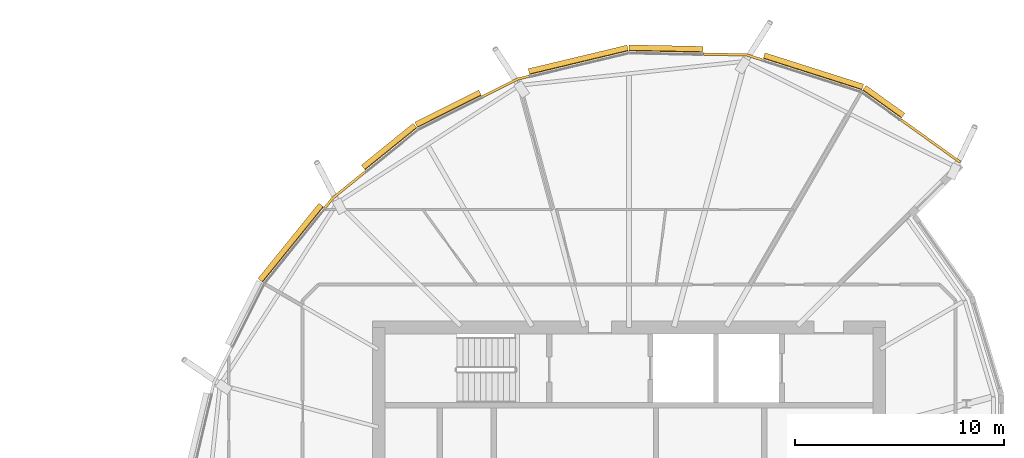
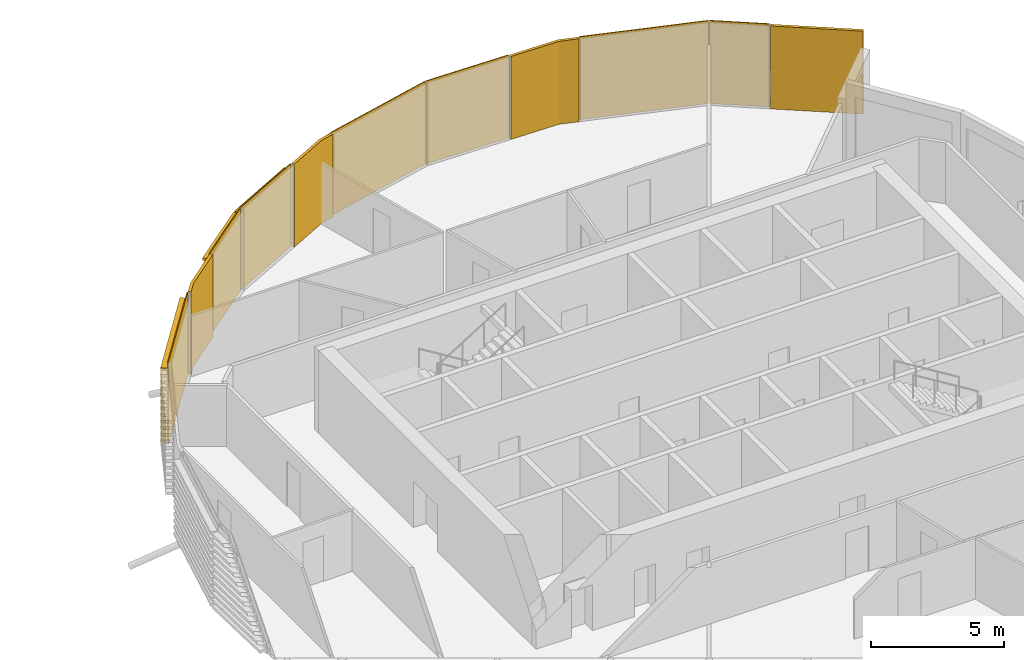
# One storey, part 37 of 37: 11 coverings.
"""IFC4 building model written with IfcOpenShell, lengths in metres."""

from ifc_helpers import new_model, si_unit, direction, frame, origin, place, context, subcontext, project, spatial, polyline, outline, extrude, material, layer, layer_set, material_profile, profile_set, type_object, element, save


model = new_model("IFC4")

# Units and contexts
model_context = context("Model", 3, precision=1e-05, world=origin(), true_north=direction((0.0, 1.0)))
body_context = subcontext(model_context, "Body", "Model", "MODEL_VIEW")
ifc_project = project(units=[si_unit("LENGTHUNIT", "METRE"), si_unit("AREAUNIT", "SQUARE_METRE"), si_unit("VOLUMEUNIT", "CUBIC_METRE"), si_unit("PLANEANGLEUNIT", "RADIAN"), si_unit("MASSUNIT", "GRAM", prefix="KILO")], contexts=[model_context])

# Site, building, storey
site_placement = place(None, origin())
site = spatial("IfcSite", under=ifc_project, at=site_placement, CompositionType="ELEMENT")
building_placement = place(site_placement, origin())
building = spatial("IfcBuilding", under=site, at=building_placement, Name="Rimbun Link Towers", CompositionType="ELEMENT")
storey_placement = place(building_placement, frame((0.0, 0.0, 162.699951171875)))
storey = spatial("IfcBuildingStorey", under=building, at=storey_placement, Name="L39", CompositionType="ELEMENT", Elevation=162.699951171875)

# Coverings
ifc_material_1 = material(Name="Terracotta", Category="masonry")
ifc_layer = layer(ifc_material_1, 0.1201171875)
ifc_layer_set = layer_set([ifc_layer], Name="LINK PIER terracotta cladding 120")
covering_type_1 = type_object("IfcCoveringType", Name="LINK PIER terracotta cladding 120", PredefinedType="CLADDING", material=ifc_layer_set)
covering_1_placement = place(storey_placement, origin())
element("IfcCovering", 1, at=covering_1_placement, inside=storey, type_object=covering_type_1, Name="LINK PIER cladding", PredefinedType="CLADDING", context=body_context, shape_type="SweptSolid", body=[
    extrude(outline(polyline([(44.754638671875, 17.916748046875), (47.59033203125, 15.882080078125), (47.66015625, 15.9794921875), (44.82470703125, 18.01416015625), (44.754638671875, 17.916748046875)])), origin(), (0.0, 0.0, 1.0), 3.800048828125),
])
covering_2_placement = place(storey_placement, origin())
element("IfcCovering", 2, at=covering_2_placement, inside=storey, type_object=covering_type_1, Name="LINK PIER cladding", PredefinedType="CLADDING", context=body_context, shape_type="SweptSolid", body=[
    extrude(outline(polyline([(35.31103515625, 21.05712890625), (37.380615234375, 21.013671875), (38.114501953125, 20.7802734375), (38.150634765625, 20.89453125), (37.400390625, 21.13330078125), (35.3134765625, 21.17724609375), (35.31103515625, 21.05712890625)])), origin(), (0.0, 0.0, 1.0), 3.800048828125),
])
covering_3_placement = place(storey_placement, origin())
element("IfcCovering", 3, at=covering_3_placement, inside=storey, type_object=covering_type_1, Name="LINK PIER cladding", PredefinedType="CLADDING", context=body_context, shape_type="SweptSolid", body=[
    extrude(outline(polyline([(24.757568359375, 19.020263671875), (26.4287109375, 19.859619140625), (26.983154296875, 19.9921875), (26.955078125, 20.10888671875), (26.38720703125, 19.972900390625), (24.70361328125, 19.12744140625), (24.757568359375, 19.020263671875)])), origin(), (0.0, 0.0, 1.0), 3.800048828125),
])
covering_4_placement = place(storey_placement, origin())
element("IfcCovering", 4, at=covering_4_placement, inside=storey, type_object=covering_type_1, Name="LINK PIER cladding", PredefinedType="CLADDING", context=body_context, shape_type="SweptSolid", body=[
    extrude(outline(polyline([(17.2265625, 13.7216796875), (17.585205078125, 14.164794921875), (19.1552734375, 15.435791015625), (19.079833984375, 15.529052734375), (17.5, 14.25), (17.13330078125, 13.79736328125), (17.2265625, 13.7216796875)])), origin(), (0.0, 0.0, 1.0), 3.800048828125),
])
ifc_material_2 = material(Name="Terracotta", Category="masonry")
ifc_material_profile = material_profile(ifc_material_2, outline(polyline([(0.123046875, 0.0), (0.1630859375, 0.0), (0.1630859375, 0.10009765625), (0.423095703125, 0.10009765625), (0.423095703125, 0.219970703125), (0.1630859375, 0.219970703125), (0.1630859375, 0.39990234375), (0.423095703125, 0.39990234375), (0.423095703125, 0.52001953125), (0.1630859375, 0.52001953125), (0.1630859375, 0.699951171875), (0.423095703125, 0.699951171875), (0.423095703125, 0.820068359375), (0.1630859375, 0.820068359375), (0.1630859375, 1.0), (0.423095703125, 1.0), (0.423095703125, 1.1201171875), (0.1630859375, 1.1201171875), (0.1630859375, 1.300048828125), (0.423095703125, 1.300048828125), (0.423095703125, 1.419921875), (0.1630859375, 1.419921875), (0.1630859375, 1.60009765625), (0.423095703125, 1.60009765625), (0.423095703125, 1.719970703125), (0.1630859375, 1.719970703125), (0.1630859375, 1.89990234375), (0.423095703125, 1.89990234375), (0.423095703125, 2.02001953125), (0.1630859375, 2.02001953125), (0.1630859375, 2.199951171875), (0.423095703125, 2.199951171875), (0.423095703125, 2.320068359375), (0.1630859375, 2.320068359375), (0.1630859375, 2.5), (0.423095703125, 2.5), (0.423095703125, 2.6201171875), (0.1630859375, 2.6201171875), (0.1630859375, 2.800048828125), (0.423095703125, 2.800048828125), (0.423095703125, 2.919921875), (0.1630859375, 2.919921875), (0.1630859375, 3.10009765625), (0.423095703125, 3.10009765625), (0.423095703125, 3.219970703125), (0.1630859375, 3.219970703125), (0.1630859375, 3.39990234375), (0.423095703125, 3.39990234375), (0.423095703125, 3.52001953125), (0.1630859375, 3.52001953125), (0.1630859375, 3.800048828125), (0.123046875, 3.800048828125), (0.123046875, 0.0)])), Name="BAGUETTE 120X300")
ifc_profile_set = profile_set([ifc_material_profile], Name="Terracotta")
covering_type_2 = type_object("IfcCoveringType", Name="TERRACOTTA BAGUETTE 120X300 H3800", PredefinedType="CLADDING", material=ifc_profile_set)
covering_5_placement = place(storey_placement, frame((42.87353515625, 19.2666015625, 0.0), z_axis=(0.812475545308, -0.582995272945, 0.0), x_axis=(0.582995272945, 0.812475545308, 0.0)))
element("IfcCovering", 5, at=covering_5_placement, inside=storey, type_object=covering_type_2, Name="TERRACOTTA BAGUETTE", PredefinedType="CLADDING", context=body_context, shape_type="SweptSolid", body=[
    extrude(outline(polyline([(0.123046875, 0.0), (0.1630859375, 0.0), (0.1630859375, 0.10009765625), (0.423095703125, 0.10009765625), (0.423095703125, 0.219970703125), (0.1630859375, 0.219970703125), (0.1630859375, 0.39990234375), (0.423095703125, 0.39990234375), (0.423095703125, 0.52001953125), (0.1630859375, 0.52001953125), (0.1630859375, 0.699951171875), (0.423095703125, 0.699951171875), (0.423095703125, 0.820068359375), (0.1630859375, 0.820068359375), (0.1630859375, 1.0), (0.423095703125, 1.0), (0.423095703125, 1.1201171875), (0.1630859375, 1.1201171875), (0.1630859375, 1.300048828125), (0.423095703125, 1.300048828125), (0.423095703125, 1.419921875), (0.1630859375, 1.419921875), (0.1630859375, 1.60009765625), (0.423095703125, 1.60009765625), (0.423095703125, 1.719970703125), (0.1630859375, 1.719970703125), (0.1630859375, 1.89990234375), (0.423095703125, 1.89990234375), (0.423095703125, 2.02001953125), (0.1630859375, 2.02001953125), (0.1630859375, 2.199951171875), (0.423095703125, 2.199951171875), (0.423095703125, 2.320068359375), (0.1630859375, 2.320068359375), (0.1630859375, 2.5), (0.423095703125, 2.5), (0.423095703125, 2.6201171875), (0.1630859375, 2.6201171875), (0.1630859375, 2.800048828125), (0.423095703125, 2.800048828125), (0.423095703125, 2.919921875), (0.1630859375, 2.919921875), (0.1630859375, 3.10009765625), (0.423095703125, 3.10009765625), (0.423095703125, 3.219970703125), (0.1630859375, 3.219970703125), (0.1630859375, 3.39990234375), (0.423095703125, 3.39990234375), (0.423095703125, 3.52001953125), (0.1630859375, 3.52001953125), (0.1630859375, 3.800048828125), (0.123046875, 3.800048828125), (0.123046875, 0.0)])), origin(), (0.0, 0.0, 1.0), 2.28515625),
])
covering_6_placement = place(storey_placement, frame((38.14306640625, 20.771240234375, 0.0), z_axis=(0.952955487798, -0.303110274117, 0.0), x_axis=(0.303110274117, 0.952955487798, 0.0)))
element("IfcCovering", 6, at=covering_6_placement, inside=storey, type_object=covering_type_2, Name="TERRACOTTA BAGUETTE", PredefinedType="CLADDING", context=body_context, shape_type="SweptSolid", body=[
    extrude(outline(polyline([(0.123046875, 0.0), (0.1630859375, 0.0), (0.1630859375, 0.10009765625), (0.423095703125, 0.10009765625), (0.423095703125, 0.219970703125), (0.1630859375, 0.219970703125), (0.1630859375, 0.39990234375), (0.423095703125, 0.39990234375), (0.423095703125, 0.52001953125), (0.1630859375, 0.52001953125), (0.1630859375, 0.699951171875), (0.423095703125, 0.699951171875), (0.423095703125, 0.820068359375), (0.1630859375, 0.820068359375), (0.1630859375, 1.0), (0.423095703125, 1.0), (0.423095703125, 1.1201171875), (0.1630859375, 1.1201171875), (0.1630859375, 1.300048828125), (0.423095703125, 1.300048828125), (0.423095703125, 1.419921875), (0.1630859375, 1.419921875), (0.1630859375, 1.60009765625), (0.423095703125, 1.60009765625), (0.423095703125, 1.719970703125), (0.1630859375, 1.719970703125), (0.1630859375, 1.89990234375), (0.423095703125, 1.89990234375), (0.423095703125, 2.02001953125), (0.1630859375, 2.02001953125), (0.1630859375, 2.199951171875), (0.423095703125, 2.199951171875), (0.423095703125, 2.320068359375), (0.1630859375, 2.320068359375), (0.1630859375, 2.5), (0.423095703125, 2.5), (0.423095703125, 2.6201171875), (0.1630859375, 2.6201171875), (0.1630859375, 2.800048828125), (0.423095703125, 2.800048828125), (0.423095703125, 2.919921875), (0.1630859375, 2.919921875), (0.1630859375, 3.10009765625), (0.423095703125, 3.10009765625), (0.423095703125, 3.219970703125), (0.1630859375, 3.219970703125), (0.1630859375, 3.39990234375), (0.423095703125, 3.39990234375), (0.423095703125, 3.52001953125), (0.1630859375, 3.52001953125), (0.1630859375, 3.800048828125), (0.123046875, 3.800048828125), (0.123046875, 0.0)])), origin(), (0.0, 0.0, 1.0), 4.964111328125),
])
covering_7_placement = place(storey_placement, frame((31.75, 21.132080078125, 0.0), z_axis=(0.999779170788, -0.021014510677, 0.0), x_axis=(0.021014510677, 0.999779170788, 0.0)))
element("IfcCovering", 7, at=covering_7_placement, inside=storey, type_object=covering_type_2, Name="TERRACOTTA BAGUETTE", PredefinedType="CLADDING", context=body_context, shape_type="SweptSolid", body=[
    extrude(outline(polyline([(0.123046875, 0.0), (0.1630859375, 0.0), (0.1630859375, 0.10009765625), (0.423095703125, 0.10009765625), (0.423095703125, 0.219970703125), (0.1630859375, 0.219970703125), (0.1630859375, 0.39990234375), (0.423095703125, 0.39990234375), (0.423095703125, 0.52001953125), (0.1630859375, 0.52001953125), (0.1630859375, 0.699951171875), (0.423095703125, 0.699951171875), (0.423095703125, 0.820068359375), (0.1630859375, 0.820068359375), (0.1630859375, 1.0), (0.423095703125, 1.0), (0.423095703125, 1.1201171875), (0.1630859375, 1.1201171875), (0.1630859375, 1.300048828125), (0.423095703125, 1.300048828125), (0.423095703125, 1.419921875), (0.1630859375, 1.419921875), (0.1630859375, 1.60009765625), (0.423095703125, 1.60009765625), (0.423095703125, 1.719970703125), (0.1630859375, 1.719970703125), (0.1630859375, 1.89990234375), (0.423095703125, 1.89990234375), (0.423095703125, 2.02001953125), (0.1630859375, 2.02001953125), (0.1630859375, 2.199951171875), (0.423095703125, 2.199951171875), (0.423095703125, 2.320068359375), (0.1630859375, 2.320068359375), (0.1630859375, 2.5), (0.423095703125, 2.5), (0.423095703125, 2.6201171875), (0.1630859375, 2.6201171875), (0.1630859375, 2.800048828125), (0.423095703125, 2.800048828125), (0.423095703125, 2.919921875), (0.1630859375, 2.919921875), (0.1630859375, 3.10009765625), (0.423095703125, 3.10009765625), (0.423095703125, 3.219970703125), (0.1630859375, 3.219970703125), (0.1630859375, 3.39990234375), (0.423095703125, 3.39990234375), (0.423095703125, 3.52001953125), (0.1630859375, 3.52001953125), (0.1630859375, 3.800048828125), (0.123046875, 3.800048828125), (0.123046875, 0.0)])), origin(), (0.0, 0.0, 1.0), 3.53173828125),
])
covering_8_placement = place(storey_placement, frame((27.01220703125, 19.9990234375, 0.0), z_axis=(0.972573962612, 0.232593824615, 0.0), x_axis=(-0.232593824615, 0.972573962612, 0.0)))
element("IfcCovering", 8, at=covering_8_placement, inside=storey, type_object=covering_type_2, Name="TERRACOTTA BAGUETTE", PredefinedType="CLADDING", context=body_context, shape_type="SweptSolid", body=[
    extrude(outline(polyline([(0.123046875, 0.0), (0.1630859375, 0.0), (0.1630859375, 0.10009765625), (0.423095703125, 0.10009765625), (0.423095703125, 0.219970703125), (0.1630859375, 0.219970703125), (0.1630859375, 0.39990234375), (0.423095703125, 0.39990234375), (0.423095703125, 0.52001953125), (0.1630859375, 0.52001953125), (0.1630859375, 0.699951171875), (0.423095703125, 0.699951171875), (0.423095703125, 0.820068359375), (0.1630859375, 0.820068359375), (0.1630859375, 1.0), (0.423095703125, 1.0), (0.423095703125, 1.1201171875), (0.1630859375, 1.1201171875), (0.1630859375, 1.300048828125), (0.423095703125, 1.300048828125), (0.423095703125, 1.419921875), (0.1630859375, 1.419921875), (0.1630859375, 1.60009765625), (0.423095703125, 1.60009765625), (0.423095703125, 1.719970703125), (0.1630859375, 1.719970703125), (0.1630859375, 1.89990234375), (0.423095703125, 1.89990234375), (0.423095703125, 2.02001953125), (0.1630859375, 2.02001953125), (0.1630859375, 2.199951171875), (0.423095703125, 2.199951171875), (0.423095703125, 2.320068359375), (0.1630859375, 2.320068359375), (0.1630859375, 2.5), (0.423095703125, 2.5), (0.423095703125, 2.6201171875), (0.1630859375, 2.6201171875), (0.1630859375, 2.800048828125), (0.423095703125, 2.800048828125), (0.423095703125, 2.919921875), (0.1630859375, 2.919921875), (0.1630859375, 3.10009765625), (0.423095703125, 3.10009765625), (0.423095703125, 3.219970703125), (0.1630859375, 3.219970703125), (0.1630859375, 3.39990234375), (0.423095703125, 3.39990234375), (0.423095703125, 3.52001953125), (0.1630859375, 3.52001953125), (0.1630859375, 3.800048828125), (0.123046875, 3.800048828125), (0.123046875, 0.0)])), origin(), (0.0, 0.0, 1.0), 4.871337890625),
])
covering_9_placement = place(storey_placement, frame((21.665283203125, 17.46728515625, 0.0), z_axis=(0.893628650028, 0.448807125444, 0.0), x_axis=(-0.448807125444, 0.893628650028, 0.0)))
element("IfcCovering", 9, at=covering_9_placement, inside=storey, type_object=covering_type_2, Name="TERRACOTTA BAGUETTE", PredefinedType="CLADDING", context=body_context, shape_type="SweptSolid", body=[
    extrude(outline(polyline([(0.123046875, 0.0), (0.1630859375, 0.0), (0.1630859375, 0.10009765625), (0.423095703125, 0.10009765625), (0.423095703125, 0.219970703125), (0.1630859375, 0.219970703125), (0.1630859375, 0.39990234375), (0.423095703125, 0.39990234375), (0.423095703125, 0.52001953125), (0.1630859375, 0.52001953125), (0.1630859375, 0.699951171875), (0.423095703125, 0.699951171875), (0.423095703125, 0.820068359375), (0.1630859375, 0.820068359375), (0.1630859375, 1.0), (0.423095703125, 1.0), (0.423095703125, 1.1201171875), (0.1630859375, 1.1201171875), (0.1630859375, 1.300048828125), (0.423095703125, 1.300048828125), (0.423095703125, 1.419921875), (0.1630859375, 1.419921875), (0.1630859375, 1.60009765625), (0.423095703125, 1.60009765625), (0.423095703125, 1.719970703125), (0.1630859375, 1.719970703125), (0.1630859375, 1.89990234375), (0.423095703125, 1.89990234375), (0.423095703125, 2.02001953125), (0.1630859375, 2.02001953125), (0.1630859375, 2.199951171875), (0.423095703125, 2.199951171875), (0.423095703125, 2.320068359375), (0.1630859375, 2.320068359375), (0.1630859375, 2.5), (0.423095703125, 2.5), (0.423095703125, 2.6201171875), (0.1630859375, 2.6201171875), (0.1630859375, 2.800048828125), (0.423095703125, 2.800048828125), (0.423095703125, 2.919921875), (0.1630859375, 2.919921875), (0.1630859375, 3.10009765625), (0.423095703125, 3.10009765625), (0.423095703125, 3.219970703125), (0.1630859375, 3.219970703125), (0.1630859375, 3.39990234375), (0.423095703125, 3.39990234375), (0.423095703125, 3.52001953125), (0.1630859375, 3.52001953125), (0.1630859375, 3.800048828125), (0.123046875, 3.800048828125), (0.123046875, 0.0)])), origin(), (0.0, 0.0, 1.0), 3.430419921875),
])
covering_10_placement = place(storey_placement, frame((19.1787109375, 15.45458984375, 0.0), z_axis=(0.77728219118, 0.629152124112, 0.0), x_axis=(-0.629152124112, 0.77728219118, 0.0)))
element("IfcCovering", 10, at=covering_10_placement, inside=storey, type_object=covering_type_2, Name="TERRACOTTA BAGUETTE", PredefinedType="CLADDING", context=body_context, shape_type="SweptSolid", body=[
    extrude(outline(polyline([(0.123046875, 0.0), (0.1630859375, 0.0), (0.1630859375, 0.10009765625), (0.423095703125, 0.10009765625), (0.423095703125, 0.219970703125), (0.1630859375, 0.219970703125), (0.1630859375, 0.39990234375), (0.423095703125, 0.39990234375), (0.423095703125, 0.52001953125), (0.1630859375, 0.52001953125), (0.1630859375, 0.699951171875), (0.423095703125, 0.699951171875), (0.423095703125, 0.820068359375), (0.1630859375, 0.820068359375), (0.1630859375, 1.0), (0.423095703125, 1.0), (0.423095703125, 1.1201171875), (0.1630859375, 1.1201171875), (0.1630859375, 1.300048828125), (0.423095703125, 1.300048828125), (0.423095703125, 1.419921875), (0.1630859375, 1.419921875), (0.1630859375, 1.60009765625), (0.423095703125, 1.60009765625), (0.423095703125, 1.719970703125), (0.1630859375, 1.719970703125), (0.1630859375, 1.89990234375), (0.423095703125, 1.89990234375), (0.423095703125, 2.02001953125), (0.1630859375, 2.02001953125), (0.1630859375, 2.199951171875), (0.423095703125, 2.199951171875), (0.423095703125, 2.320068359375), (0.1630859375, 2.320068359375), (0.1630859375, 2.5), (0.423095703125, 2.5), (0.423095703125, 2.6201171875), (0.1630859375, 2.6201171875), (0.1630859375, 2.800048828125), (0.423095703125, 2.800048828125), (0.423095703125, 2.919921875), (0.1630859375, 2.919921875), (0.1630859375, 3.10009765625), (0.423095703125, 3.10009765625), (0.423095703125, 3.219970703125), (0.1630859375, 3.219970703125), (0.1630859375, 3.39990234375), (0.423095703125, 3.39990234375), (0.423095703125, 3.52001953125), (0.1630859375, 3.52001953125), (0.1630859375, 3.800048828125), (0.123046875, 3.800048828125), (0.123046875, 0.0)])), origin(), (0.0, 0.0, 1.0), 3.198974609375),
])
covering_11_placement = place(storey_placement, frame((14.28271484375, 10.084716796875, 0.0), z_axis=(0.629148376774, 0.777285224356, 0.0), x_axis=(-0.777285224356, 0.629148376774, 0.0)))
element("IfcCovering", 11, at=covering_11_placement, inside=storey, type_object=covering_type_2, Name="TERRACOTTA BAGUETTE", PredefinedType="CLADDING", context=body_context, shape_type="SweptSolid", body=[
    extrude(outline(polyline([(0.123046875, 0.0), (0.1630859375, 0.0), (0.1630859375, 0.10009765625), (0.423095703125, 0.10009765625), (0.423095703125, 0.219970703125), (0.1630859375, 0.219970703125), (0.1630859375, 0.39990234375), (0.423095703125, 0.39990234375), (0.423095703125, 0.52001953125), (0.1630859375, 0.52001953125), (0.1630859375, 0.699951171875), (0.423095703125, 0.699951171875), (0.423095703125, 0.820068359375), (0.1630859375, 0.820068359375), (0.1630859375, 1.0), (0.423095703125, 1.0), (0.423095703125, 1.1201171875), (0.1630859375, 1.1201171875), (0.1630859375, 1.300048828125), (0.423095703125, 1.300048828125), (0.423095703125, 1.419921875), (0.1630859375, 1.419921875), (0.1630859375, 1.60009765625), (0.423095703125, 1.60009765625), (0.423095703125, 1.719970703125), (0.1630859375, 1.719970703125), (0.1630859375, 1.89990234375), (0.423095703125, 1.89990234375), (0.423095703125, 2.02001953125), (0.1630859375, 2.02001953125), (0.1630859375, 2.199951171875), (0.423095703125, 2.199951171875), (0.423095703125, 2.320068359375), (0.1630859375, 2.320068359375), (0.1630859375, 2.5), (0.423095703125, 2.5), (0.423095703125, 2.6201171875), (0.1630859375, 2.6201171875), (0.1630859375, 2.800048828125), (0.423095703125, 2.800048828125), (0.423095703125, 2.919921875), (0.1630859375, 2.919921875), (0.1630859375, 3.10009765625), (0.423095703125, 3.10009765625), (0.423095703125, 3.219970703125), (0.1630859375, 3.219970703125), (0.1630859375, 3.39990234375), (0.423095703125, 3.39990234375), (0.423095703125, 3.52001953125), (0.1630859375, 3.52001953125), (0.1630859375, 3.800048828125), (0.123046875, 3.800048828125), (0.123046875, 0.0)])), origin(), (0.0, 0.0, 1.0), 4.649169921875),
])

save(model, "model.ifc")
